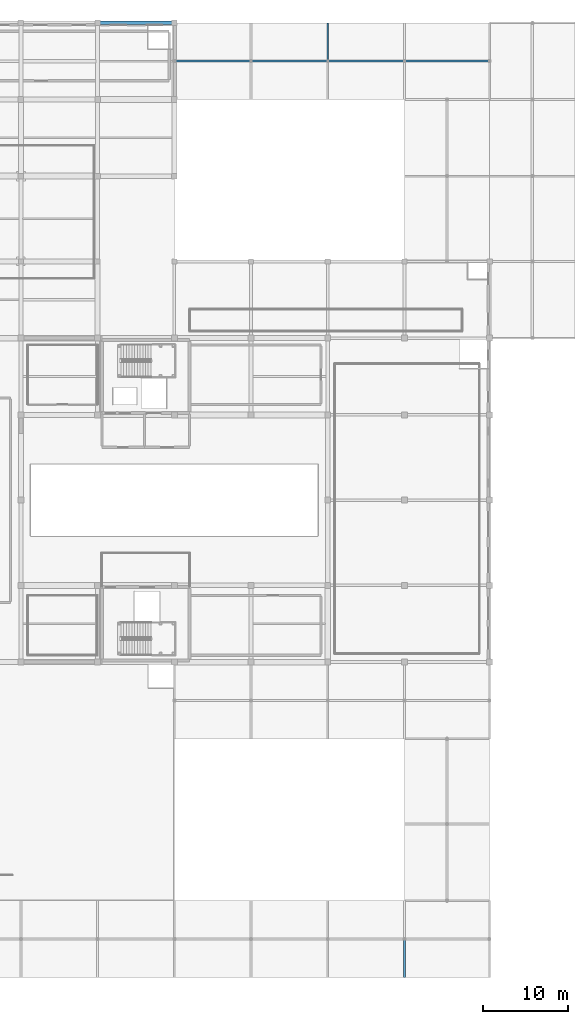
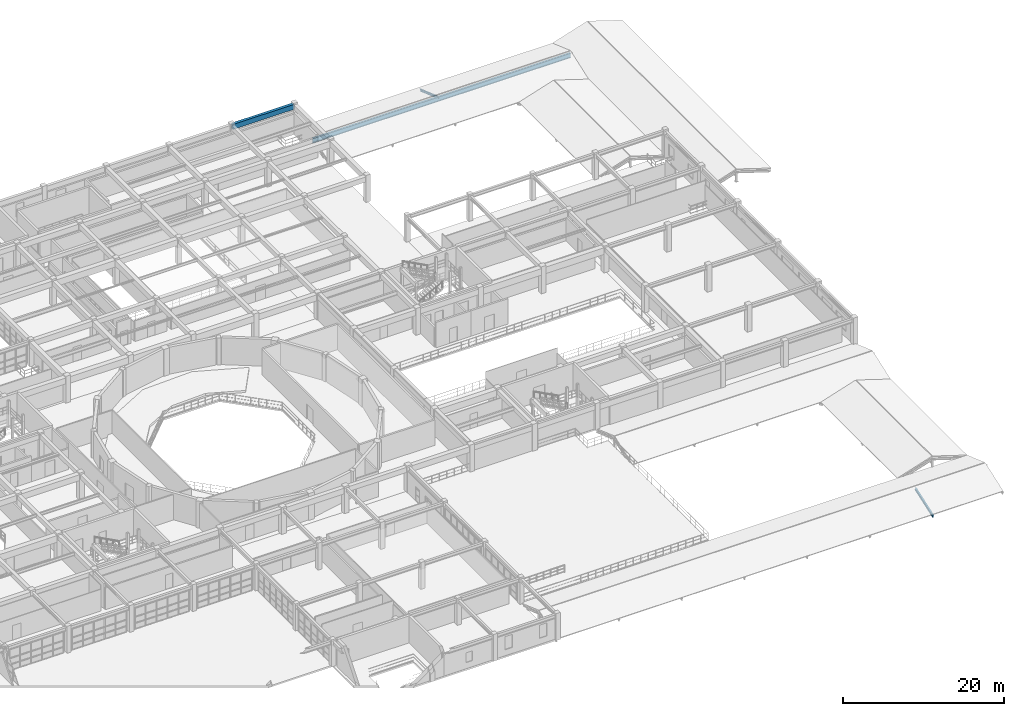
# One storey, part 72 of 110: 2 beams, 2 members.
"""IFC4 building model written with IfcOpenShell, lengths in metres."""

from ifc_helpers import new_model, si_unit, direction, frame, origin, origin_2d, place, context, subcontext, project, spatial, rectangle, i_section, extrude, material, material_profile, profile_set, type_object, element, save


model = new_model("IFC4")

# Units and contexts
model_context = context("Model", 3, precision=1e-05, world=origin(), true_north=direction((0.0, 1.0)))
body_context = subcontext(model_context, "Body", "Model", "MODEL_VIEW")
ifc_project = project(units=[si_unit("LENGTHUNIT", "METRE"), si_unit("AREAUNIT", "SQUARE_METRE"), si_unit("VOLUMEUNIT", "CUBIC_METRE"), si_unit("PLANEANGLEUNIT", "RADIAN"), si_unit("MASSUNIT", "GRAM", prefix="KILO")], contexts=[model_context])

# Site, building, storey
site_placement = place(None, origin())
site = spatial("IfcSite", under=ifc_project, at=site_placement, CompositionType="ELEMENT")
building_placement = place(site_placement, origin())
building = spatial("IfcBuilding", under=site, at=building_placement, Name="Miravela Opera House", CompositionType="ELEMENT")
storey_placement = place(building_placement, frame((0.0, 0.0, 13.60009765625)))
storey = spatial("IfcBuildingStorey", under=building, at=storey_placement, Name="L03", CompositionType="ELEMENT", Elevation=13.60009765625)

# Beam
ifc_material_1 = material(Name="Structural steel ASTM A992 Gr. 50", Category="steel")
ifc_material_profile_1 = material_profile(ifc_material_1, i_section(OverallWidth=0.256103515625, OverallDepth=0.693115234375, WebThickness=0.014404296875, FlangeThickness=0.023681640625, FilletRadius=0.01806640625, at=origin_2d()), Name="W690X170")
ifc_profile_set_1 = profile_set([ifc_material_profile_1])
beam_type_1 = type_object("IfcBeamType", Name="STR-BM-W690X170", PredefinedType="BEAM", material=ifc_profile_set_1)
beam_1_placement = place(storey_placement, frame((117.0, 107.5, 0.933349609375), z_axis=(1.0, 0.0, 0.0), x_axis=(0.0, 1.0, 0.0)))
element("IfcBeam", 1, at=beam_1_placement, inside=storey, type_object=beam_type_1, Name="Clay Tile Roof Ridge Beam ROOF-V3-NE", PredefinedType="BEAM", context=body_context, shape_type="SweptSolid", body=[
    extrude(i_section(OverallWidth=0.256103515625, OverallDepth=0.693115234375, WebThickness=0.014404296875, FlangeThickness=0.023681640625, FilletRadius=0.01806640625, at=origin_2d()), origin(), (0.0, 0.0, 1.0), 37.0),
])

# Members
ifc_material_profile_2 = material_profile(ifc_material_1, i_section(OverallWidth=0.2041015625, OverallDepth=0.35009765625, WebThickness=0.008544921875, FlangeThickness=0.01513671875, FilletRadius=0.013916015625, at=origin_2d()), Name="W360X72")
ifc_profile_set_2 = profile_set([ifc_material_profile_2])
member_type_1 = type_object("IfcMemberType", Name="STR-MEM-RAFTER-1", PredefinedType="RAFTER", material=ifc_profile_set_2)
member_1_placement = place(storey_placement, frame((144.0, 0.050048828125, -0.400146484375), z_axis=(0.0, 0.943687918104, 0.3308369889), x_axis=(-1.0, 0.0, 0.0)))
element("IfcMember", 2, at=member_1_placement, inside=storey, type_object=member_type_1, Name="Pitched Roof Rafter ROOF-V4-SE S6", PredefinedType="RAFTER", context=body_context, shape_type="SweptSolid", body=[
    extrude(i_section(OverallWidth=0.2041015625, OverallDepth=0.35009765625, WebThickness=0.008544921875, FlangeThickness=0.01513671875, FilletRadius=0.013916015625, at=origin_2d()), origin(), (0.0, 0.0, 1.0), 4.715576171875),
])
ifc_material_profile_3 = material_profile(ifc_material_1, i_section(OverallWidth=0.202880859375, OverallDepth=0.302978515625, WebThickness=0.007568359375, FlangeThickness=0.01318359375, FilletRadius=0.012939453125, at=origin_2d()), Name="W310X60")
ifc_profile_set_3 = profile_set([ifc_material_profile_3])
member_type_2 = type_object("IfcMemberType", Name="STR-MEM-RAFTER-2", PredefinedType="RAFTER", material=ifc_profile_set_3)
member_2_placement = place(storey_placement, frame((135.0, 111.949951171875, -0.400146484375), z_axis=(0.0, -0.943687918104, 0.3308369889), x_axis=(1.0, 0.0, 0.0)))
element("IfcMember", 3, at=member_2_placement, inside=storey, type_object=member_type_2, Name="Pitched Roof Rafter ROOF-V3-NE N2", PredefinedType="RAFTER", context=body_context, shape_type="SweptSolid", body=[
    extrude(i_section(OverallWidth=0.202880859375, OverallDepth=0.302978515625, WebThickness=0.007568359375, FlangeThickness=0.01318359375, FilletRadius=0.012939453125, at=origin_2d()), origin(), (0.0, 0.0, 1.0), 4.715576171875),
])

# Beam
ifc_material_2 = material(Name="Concrete C35/45", Category="concrete")
ifc_material_profile_4 = material_profile(ifc_material_2, rectangle(XDim=0.39990234375, YDim=0.75, at=origin_2d()), Name="RC-SPN-400X750")
ifc_profile_set_4 = profile_set([ifc_material_profile_4])
beam_type_2 = type_object("IfcBeamType", Name="STR-SPN-RC400X750", PredefinedType="SPANDREL", material=ifc_profile_set_4)
beam_2_placement = place(storey_placement, frame((108.080078125, 112.0, 3.46484375), z_axis=(1.0, 0.0, 0.0), x_axis=(0.0, 1.0, 0.0)))
element("IfcBeam", 4, at=beam_2_placement, inside=storey, type_object=beam_type_2, Name="Floor Girder L03 13-14/M", PredefinedType="SPANDREL", context=body_context, shape_type="SweptSolid", body=[
    extrude(rectangle(XDim=0.39990234375, YDim=0.75, at=origin_2d()), origin(), (0.0, 0.0, 1.0), 8.83984375),
])

save(model, "model.ifc")
